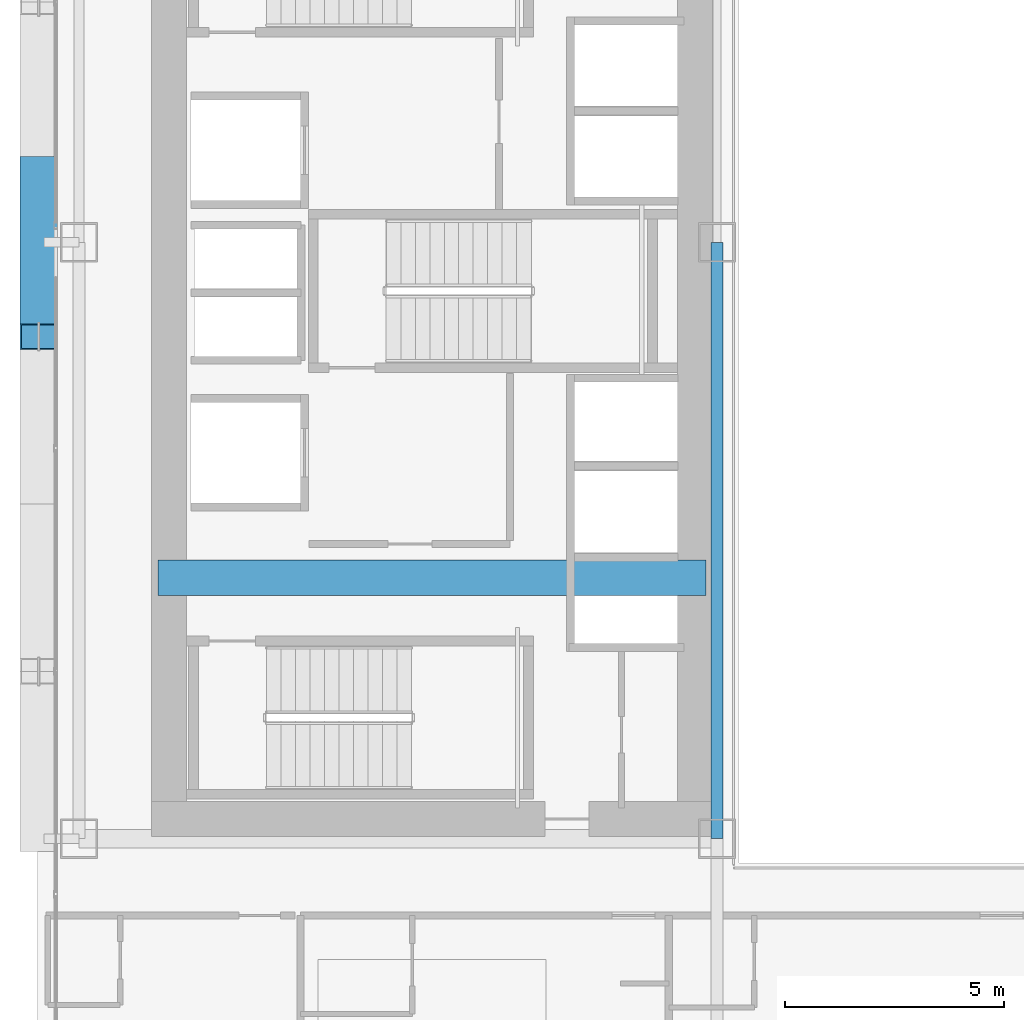
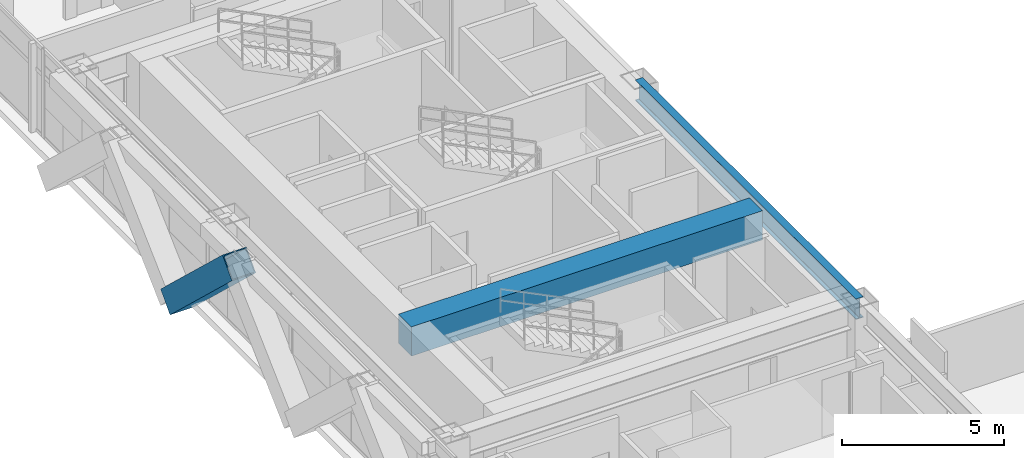
# One storey, part 7 of 35: 2 beams, 1 member.
"""IFC4 building model written with IfcOpenShell, lengths in metres."""

from ifc_helpers import new_model, si_unit, direction, frame, origin, origin_2d, place, context, subcontext, project, spatial, rectangle, hollow_rectangle, i_section, extrude, source, transform, mapped, material, material_profile, profile_set, type_object, element, save


model = new_model("IFC4")

# Units and contexts
model_context = context("Model", 3, precision=1e-05, world=origin(), true_north=direction((0.0, 1.0)))
body_context = subcontext(model_context, "Body", "Model", "MODEL_VIEW")
ifc_project = project(units=[si_unit("LENGTHUNIT", "METRE"), si_unit("AREAUNIT", "SQUARE_METRE"), si_unit("VOLUMEUNIT", "CUBIC_METRE"), si_unit("PLANEANGLEUNIT", "RADIAN"), si_unit("MASSUNIT", "GRAM", prefix="KILO")], contexts=[model_context])

# Site, building, storey
site_placement = place(None, origin())
site = spatial("IfcSite", under=ifc_project, at=site_placement, CompositionType="ELEMENT")
building_placement = place(site_placement, origin())
building = spatial("IfcBuilding", under=site, at=building_placement, Name="Ocotamira Hotel", CompositionType="ELEMENT")
storey_placement = place(building_placement, frame((0.0, 0.0, 63.60009765625)))
storey = spatial("IfcBuildingStorey", under=building, at=storey_placement, Name="L15", CompositionType="ELEMENT", Elevation=63.60009765625)

# Beams
ifc_material_1 = material(Name="Concrete C60/75", Category="concrete")
ifc_material_profile_1 = material_profile(ifc_material_1, rectangle(XDim=0.800048828125, YDim=1.10009765625, at=origin_2d()), Name="RC800X1100")
ifc_profile_set_1 = profile_set([ifc_material_profile_1], Name="Concrete C60/75")
beam_type_1 = type_object("IfcBeamType", Name="BM-LINK-RC800", PredefinedType="LINTEL", material=ifc_profile_set_1)
shared_shape_1 = source(origin(), body_context, "Body", "SweptSolid", [
    extrude(rectangle(XDim=0.800048828125, YDim=1.10009765625, at=origin_2d()), origin(), (0.0, 0.0, 1.0), 12.5),
])
beam_1_placement = place(storey_placement, frame((10.75, 20.5, 2.7998046875), z_axis=(1.0, 0.0, 0.0), x_axis=(0.0, 1.0, 0.0)))
element("IfcBeam", 1, at=beam_1_placement, inside=storey, type_object=beam_type_1, Name="L15 West Core Coupling Beam", PredefinedType="LINTEL", context=body_context, shape_type="MappedRepresentation", body=[
    mapped(shared_shape_1, transform((0.0, 0.0, 0.0), scale=1.0)),
])
ifc_material_2 = material(Name="Steel ASTM A992 Grade 50", Category="steel")
ifc_material_profile_2 = material_profile(ifc_material_2, i_section(OverallWidth=0.26611328125, OverallDepth=0.779052734375, WebThickness=0.0166015625, FlangeThickness=0.030029296875, FilletRadius=0.01806640625, at=origin_2d()), Name="W30X148")
ifc_profile_set_2 = profile_set([ifc_material_profile_2], Name="Steel ASTM A992 Grade 50")
beam_type_2 = type_object("IfcBeamType", Name="BM-GIRD-W30X148", PredefinedType="BEAM", material=ifc_profile_set_2)
shared_shape_2 = source(origin(), body_context, "Body", "SweptSolid", [
    extrude(i_section(OverallWidth=0.26611328125, OverallDepth=0.779052734375, WebThickness=0.0166015625, FlangeThickness=0.030029296875, FilletRadius=0.01806640625, at=origin_2d()), origin(), (0.0, 0.0, 1.0), 13.599853515625),
])
beam_2_placement = place(storey_placement, frame((23.5, 14.550048828125, 2.96044921875), z_axis=(0.0, 1.0, 0.0), x_axis=(-1.0, 0.0, 0.0)))
element("IfcBeam", 2, at=beam_2_placement, inside=storey, type_object=beam_type_2, Name="L15 Beam X23.5 Y14.55-28.15", PredefinedType="BEAM", context=body_context, shape_type="MappedRepresentation", body=[
    mapped(shared_shape_2, transform((0.0, 0.0, 0.0), scale=1.0)),
])

# Member
ifc_material_3 = material(Name="Pale-metal coated steel ASTM A913 Grade 65", Category="steel")
ifc_material_profile_3 = material_profile(ifc_material_3, hollow_rectangle(XDim=0.85009765625, YDim=0.85009765625, WallThickness=0.035888671875, at=origin_2d()), Name="BOX850X850X36")
ifc_profile_set_3 = profile_set([ifc_material_profile_3], Name="Pale-metal coated steel ASTM A913 Grade 65")
member_type = type_object("IfcMemberType", Name="MEM-EXO-BOX850", PredefinedType="BRACE", material=ifc_profile_set_3)
shared_shape_3 = source(origin(), body_context, "Body", "SweptSolid", [
    extrude(hollow_rectangle(XDim=0.85009765625, YDim=0.85009765625, WallThickness=0.035888671875, at=origin_2d()), origin(), (0.0, 0.0, 1.0), 5.24658203125),
])
member_placement = place(storey_placement, frame((8.030029296875, 29.816650390625, -0.5), z_axis=(0.0, -0.72746596067, 0.686143772154), x_axis=(1.0, 0.0, 0.0)))
element("IfcMember", 3, at=member_placement, inside=storey, type_object=member_type, Name="L15 Exoskeleton Diagrid W1.2", PredefinedType="BRACE", context=body_context, shape_type="MappedRepresentation", body=[
    mapped(shared_shape_3, transform((0.0, 0.0, 0.0), scale=1.0)),
])

save(model, "model.ifc")
